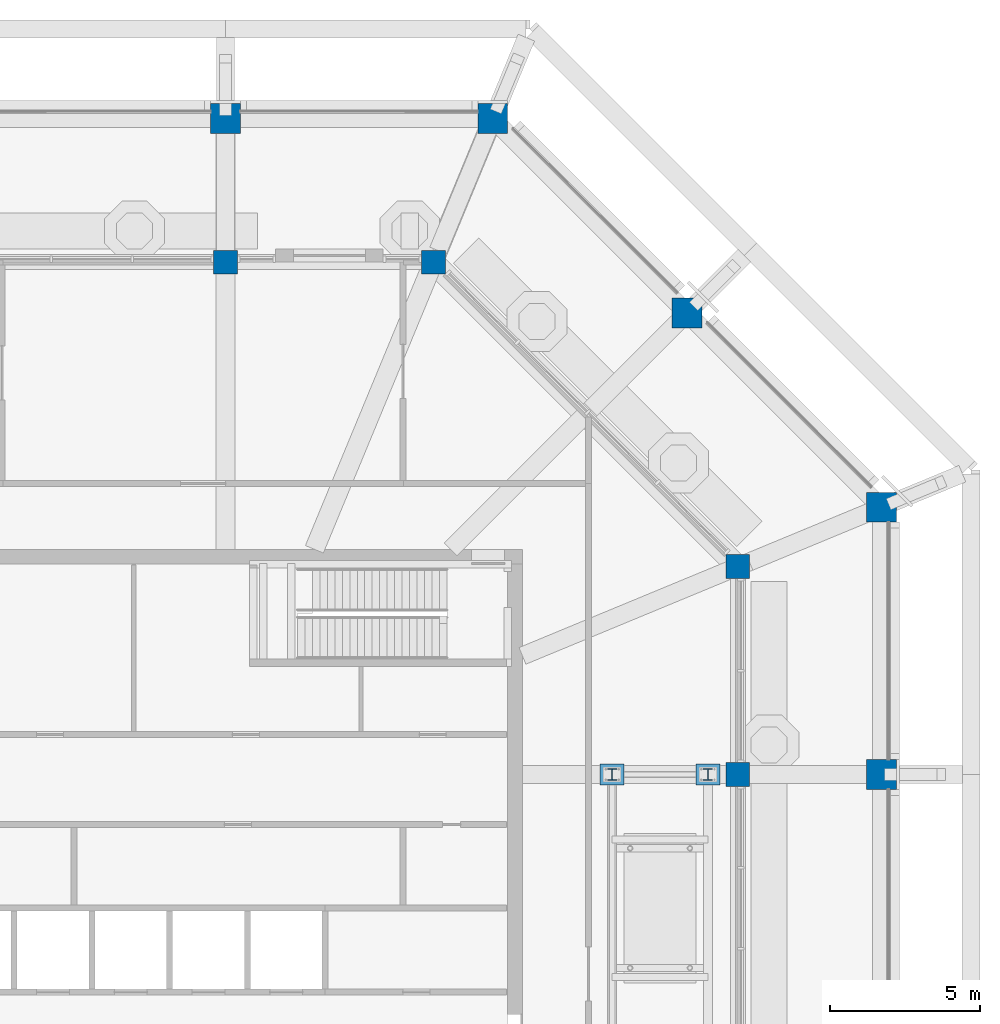
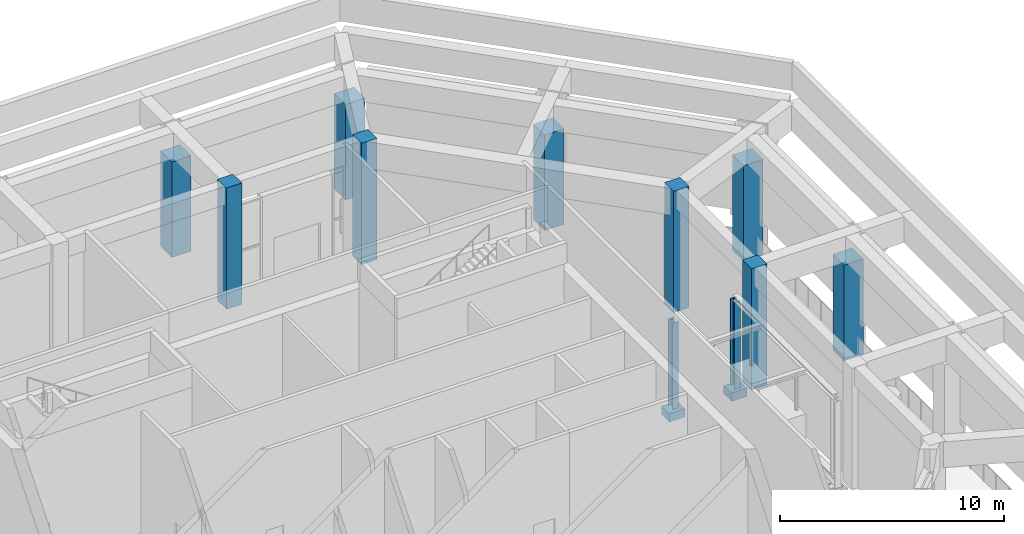
# One storey, part 4 of 29: 13 columns.
"""IFC4 building model written with IfcOpenShell, lengths in metres."""

from ifc_helpers import new_model, si_unit, direction, frame, origin, origin_2d, place, context, subcontext, project, spatial, rectangle, i_section, extrude, material, material_profile, profile_set, type_object, element, save


model = new_model("IFC4")

# Units and contexts
model_context = context("Model", 3, precision=1e-05, world=origin(), true_north=direction((0.0, 1.0)))
body_context = subcontext(model_context, "Body", "Model", "MODEL_VIEW")
ifc_project = project(units=[si_unit("LENGTHUNIT", "METRE"), si_unit("AREAUNIT", "SQUARE_METRE"), si_unit("VOLUMEUNIT", "CUBIC_METRE"), si_unit("PLANEANGLEUNIT", "RADIAN"), si_unit("MASSUNIT", "GRAM", prefix="KILO")], contexts=[model_context])

# Site, building, storey
site_placement = place(None, origin())
site = spatial("IfcSite", under=ifc_project, at=site_placement, CompositionType="ELEMENT")
building_placement = place(site_placement, origin())
building = spatial("IfcBuilding", under=site, at=building_placement, Name="Msitu Wima Residences", CompositionType="ELEMENT")
storey_placement = place(building_placement, frame((0.0, 0.0, 320.10009765625)))
storey = spatial("IfcBuildingStorey", under=building, at=storey_placement, Name="L74", CompositionType="ELEMENT", Elevation=320.10009765625)

# Columns
ifc_material_1 = material(Name="Concrete C60/75", Category="concrete")
ifc_material_profile_1 = material_profile(ifc_material_1, rectangle(XDim=1.0, YDim=1.0, at=origin_2d()), Name="RC 1000x1000")
ifc_profile_set_1 = profile_set([ifc_material_profile_1], Name="Concrete C60/75")
column_type_1 = type_object("IfcColumnType", Name="Canopy pier CP1000", PredefinedType="COLUMN", material=ifc_profile_set_1)
for number, where, z_axis, x_axis, name in (
    (1, (26.39990234375, 4.46875, 0.0), (0.0, 0.0, 1.0), (1.0, 0.0, 0.0), "Canopy pier C-E2"),
    (2, (26.39990234375, 13.406005859375, 0.0), (0.0, 0.0, 1.0), (1.0, 0.0, 0.0), "Canopy pier C-NE0"),
    (3, (19.90283203125, 19.90283203125, 0.0), (0.0, 0.0, 1.0), (1.0, 0.0, 0.0), "Canopy pier C-NE1"),
    (4, (13.406005859375, 26.39990234375, 0.0), (0.0, 0.0, 1.0), (1.0, 0.0, 0.0), "Canopy pier C-N0"),
    (5, (4.46875, 26.39990234375, 0.0), (0.0, 0.0, 1.0), (1.0, 0.0, 0.0), "Canopy pier C-N1"),
):
    element("IfcColumn", number, at=place(storey_placement, frame(where, z_axis=z_axis, x_axis=x_axis)), inside=storey, type_object=column_type_1, Name=name, PredefinedType="COLUMN", context=body_context, shape_type="SweptSolid", body=[
        extrude(rectangle(XDim=1.0, YDim=1.0, at=origin_2d()), origin(), (0.0, 0.0, 1.0), 5.199951171875),
    ])
ifc_material_profile_2 = material_profile(ifc_material_1, rectangle(XDim=0.800048828125, YDim=0.800048828125, at=origin_2d()), Name="RC 800x800")
ifc_profile_set_2 = profile_set([ifc_material_profile_2], Name="Concrete C60/75")
column_type_2 = type_object("IfcColumnType", Name="Chamber column CC800", PredefinedType="COLUMN", material=ifc_profile_set_2)
for number, where, z_axis, x_axis, name in (
    (6, (21.60009765625, 4.46875, 0.0), (0.0, 0.0, 1.0), (1.0, 0.0, 0.0), "Chamber column CH2"),
    (7, (21.60009765625, 11.417724609375, 0.0), (0.0, 0.0, 1.0), (1.0, 0.0, 0.0), "Chamber column CH3"),
    (8, (11.417724609375, 21.60009765625, 0.0), (0.0, 0.0, 1.0), (1.0, 0.0, 0.0), "Chamber column CH4"),
    (9, (4.46875, 21.60009765625, 0.0), (0.0, 0.0, 1.0), (1.0, 0.0, 0.0), "Chamber column CH5"),
):
    element("IfcColumn", number, at=place(storey_placement, frame(where, z_axis=z_axis, x_axis=x_axis)), inside=storey, type_object=column_type_2, Name=name, PredefinedType="COLUMN", context=body_context, shape_type="SweptSolid", body=[
        extrude(rectangle(XDim=0.800048828125, YDim=0.800048828125, at=origin_2d()), origin(), (0.0, 0.0, 1.0), 6.599853515625),
    ])
ifc_material_2 = material(Name="Steel S355", Category="steel")
ifc_material_profile_3 = material_profile(ifc_material_2, i_section(OverallWidth=0.300048828125, OverallDepth=0.39990234375, WebThickness=0.013427734375, FlangeThickness=0.02392578125, FilletRadius=0.027099609375, at=origin_2d()), Name="HEB 400")
ifc_profile_set_3 = profile_set([ifc_material_profile_3], Name="Steel S355")
column_type_3 = type_object("IfcColumnType", Name="Damper frame HEB 400", PredefinedType="COLUMN", material=ifc_profile_set_3)
for number, where, z_axis, x_axis, name in (
    (10, (17.39990234375, 4.46875, 0.19482421875), (0.0, 0.0, 1.0), (1.0, 0.0, 0.0), "Damper frame column E2"),
    (11, (20.60009765625, 4.46875, 0.19482421875), (0.0, 0.0, 1.0), (1.0, 0.0, 0.0), "Damper frame column E4"),
):
    element("IfcColumn", number, at=place(storey_placement, frame(where, z_axis=z_axis, x_axis=x_axis)), inside=storey, type_object=column_type_3, Name=name, PredefinedType="COLUMN", context=body_context, shape_type="SweptSolid", body=[
        extrude(i_section(OverallWidth=0.300048828125, OverallDepth=0.39990234375, WebThickness=0.013427734375, FlangeThickness=0.02392578125, FilletRadius=0.027099609375, at=origin_2d()), origin(), (0.0, 0.0, 1.0), 4.705078125),
    ])
ifc_material_profile_4 = material_profile(ifc_material_1, rectangle(XDim=0.800048828125, YDim=0.699951171875, at=origin_2d()), Name="RC 800x700")
ifc_profile_set_4 = profile_set([ifc_material_profile_4], Name="Concrete C60/75")
column_type_4 = type_object("IfcColumnType", Name="Damper pedestal DP800x700", PredefinedType="COLUMN", material=ifc_profile_set_4)
for number, where, z_axis, x_axis, name in (
    (12, (17.39990234375, 4.46875, -0.300048828125), (0.0, 0.0, 1.0), (1.0, 0.0, 0.0), "Damper frame pedestal E2"),
    (13, (20.60009765625, 4.46875, -0.300048828125), (0.0, 0.0, 1.0), (1.0, 0.0, 0.0), "Damper frame pedestal E4"),
):
    element("IfcColumn", number, at=place(storey_placement, frame(where, z_axis=z_axis, x_axis=x_axis)), inside=storey, type_object=column_type_4, Name=name, PredefinedType="COLUMN", context=body_context, shape_type="SweptSolid", body=[
        extrude(rectangle(XDim=0.800048828125, YDim=0.699951171875, at=origin_2d()), origin(), (0.0, 0.0, 1.0), 0.449951171875),
    ])

save(model, "model.ifc")
